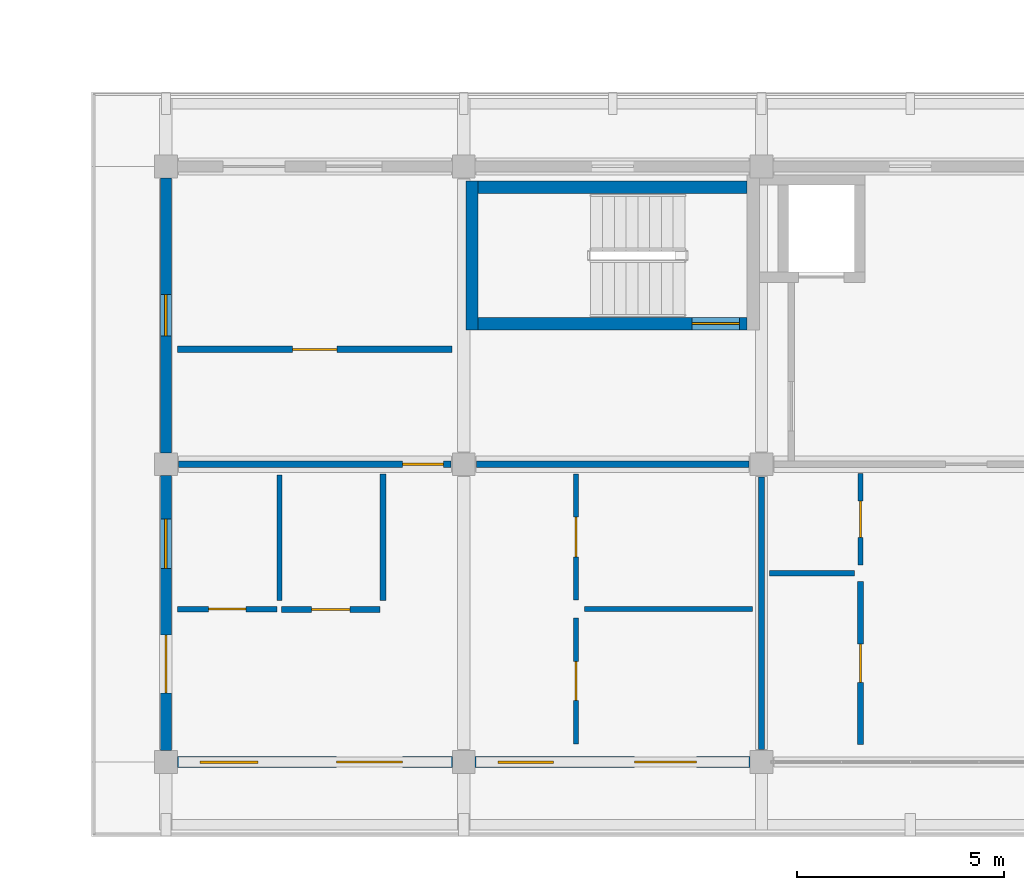
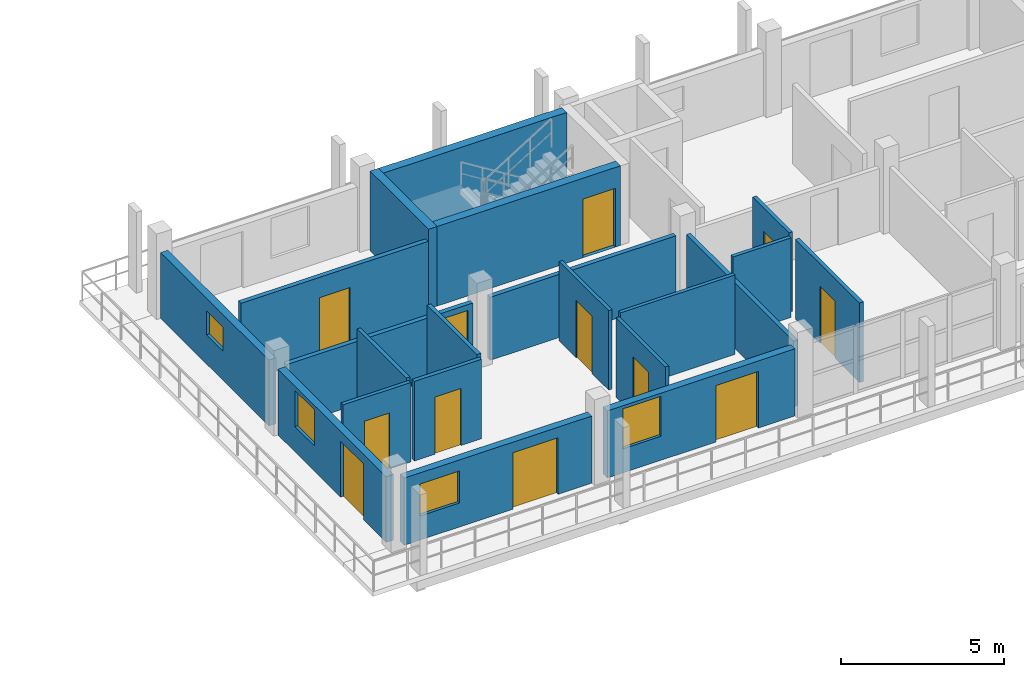
# One storey, part 44 of 73: 21 walls, 12 doors, 4 windows, 16 openings.
"""IFC4 building model written with IfcOpenShell, lengths in metres."""

from ifc_helpers import new_model, si_unit, direction, frame, frame_2d, origin, place, context, subcontext, project, spatial, rectangle, extrude, material, layer, layer_set, type_object, element, fill, save


model = new_model("IFC4")

# Units and contexts
model_context = context("Model", 3, precision=1e-05, world=origin(), true_north=direction((0.0, 1.0)))
body_context = subcontext(model_context, "Body", "Model", "MODEL_VIEW")
ifc_project = project(units=[si_unit("LENGTHUNIT", "METRE"), si_unit("AREAUNIT", "SQUARE_METRE"), si_unit("VOLUMEUNIT", "CUBIC_METRE"), si_unit("PLANEANGLEUNIT", "RADIAN"), si_unit("MASSUNIT", "GRAM", prefix="KILO")], contexts=[model_context])

# Site, building, storey
site_placement = place(None, origin())
site = spatial("IfcSite", under=ifc_project, at=site_placement, CompositionType="ELEMENT")
building_placement = place(site_placement, origin())
building = spatial("IfcBuilding", under=site, at=building_placement, Name="Suanplinth Sawtooth Commons", CompositionType="ELEMENT")
storey_placement = place(building_placement, frame((0.0, 0.0, 21.89990234375)))
storey = spatial("IfcBuildingStorey", under=building, at=storey_placement, Name="L06", CompositionType="ELEMENT", Elevation=21.89990234375)

# Wall, opening, door
ifc_material_1 = material(Name="Concrete C40/50", Category="concrete")
ifc_layer_1 = layer(ifc_material_1, 0.300048828125, Name="Standard RC stair and lift core wall 300mm")
ifc_layer_set_1 = layer_set([ifc_layer_1], Name="Concrete C40/50")
wall_type_1 = type_object("IfcWallType", Name="W-CR02", PredefinedType="SHEAR", material=ifc_layer_set_1)
wall_1_placement = place(storey_placement, frame((137.14990234375, 10.60009765625, 0.0), z_axis=(0.0, 0.0, 1.0), x_axis=(1.0, 0.0, 0.0)))
wall_1 = element("IfcWall", 1, at=wall_1_placement, inside=storey, type_object=wall_type_1, Name="W-L06-C-C1-STS", PredefinedType="SHEAR", context=body_context, shape_type="SweptSolid", body=[
    extrude(rectangle(XDim=6.5, YDim=0.300048828125, at=frame_2d((3.25, 0.0))), origin(), (0.0, 0.0, 1.0), 2.97998046875),
])
opening_1_placement = place(wall_1_placement, frame((5.169921875, 0.0, 0.0)))
opening_1 = element("IfcOpeningElement", 2, at=opening_1_placement, cuts=wall_1, Name="Opening FD0304", PredefinedType="OPENING", context=body_context, shape_type="SweptSolid", body=[
    extrude(rectangle(XDim=1.14990234375, YDim=2.199951171875, at=frame_2d((0.574951171875, 1.10009765625))), frame((0.0, 0.1650390625, 0.0), z_axis=(0.0, -1.0, 0.0), x_axis=(1.0, 0.0, 0.0)), (0.0, 0.0, 1.0), 0.329833984375),
])
ifc_material_2 = material(Name="Teak hardwood fire-rated door assembly", Category="wood")
door_type_1 = type_object("IfcDoorType", Name="FD-01", OperationType="NOTDEFINED", PredefinedType="DOOR", material=ifc_material_2)
door_1_placement = place(opening_1_placement, origin())
door_1 = element("IfcDoor", 3, at=door_1_placement, inside=storey, type_object=door_type_1, Name="Exit Stair Fire Door FD0304", OperationType="SINGLE_SWING_RIGHT", OverallHeight=2.199951171875, OverallWidth=1.14990234375, PredefinedType="DOOR", context=body_context, shape_type="SweptSolid", body=[
    extrude(rectangle(XDim=1.14990234375, YDim=2.199951171875, at=frame_2d((0.574951171875, 1.10009765625))), frame((0.0, 0.02490234375, 0.0), z_axis=(0.0, -1.0, 0.0), x_axis=(1.0, 0.0, 0.0)), (0.0, 0.0, 1.0), 0.050048828125),
])
fill(opening_1, door_1)

# Walls
wall_2_placement = place(storey_placement, frame((137.14990234375, 13.89990234375, 0.0), z_axis=(0.0, 0.0, 1.0), x_axis=(1.0, 0.0, 0.0)))
element("IfcWall", 4, at=wall_2_placement, inside=storey, type_object=wall_type_1, Name="W-L06-C-C1-STN", PredefinedType="SHEAR", context=body_context, shape_type="SweptSolid", body=[
    extrude(rectangle(XDim=6.5, YDim=0.300048828125, at=frame_2d((3.25, 0.0))), origin(), (0.0, 0.0, 1.0), 2.97998046875),
])
wall_3_placement = place(storey_placement, frame((137.0, 10.449951171875, 0.0), z_axis=(0.0, 0.0, 1.0), x_axis=(0.0, 1.0, 0.0)))
element("IfcWall", 5, at=wall_3_placement, inside=storey, type_object=wall_type_1, Name="W-L06-C-C1-STW", PredefinedType="SHEAR", context=body_context, shape_type="SweptSolid", body=[
    extrude(rectangle(XDim=3.60009765625, YDim=0.300048828125, at=frame_2d((1.800048828125, 0.0))), origin(), (0.0, 0.0, 1.0), 2.97998046875),
])

# Wall, openings, door, window
ifc_material_3 = material(Name="Precast concrete C40/50", Category="concrete")
ifc_layer_2 = layer(ifc_material_3, 0.260009765625, Name="Insulated precast courtyard facade wall 260mm")
ifc_layer_set_2 = layer_set([ifc_layer_2], Name="Precast concrete C40/50")
wall_type_2 = type_object("IfcWallType", Name="W-EX02", PredefinedType="ELEMENTEDWALL", material=ifc_layer_set_2)
wall_4_placement = place(storey_placement, frame((129.875, 0.0, 0.0), z_axis=(0.0, 0.0, 1.0), x_axis=(1.0, 0.0, 0.0)))
wall_4 = element("IfcWall", 6, at=wall_4_placement, inside=storey, type_object=wall_type_2, Name="Facade Wall W-L06-C-S-18-0", PredefinedType="ELEMENTEDWALL", context=body_context, shape_type="SweptSolid", body=[
    extrude(rectangle(XDim=6.64990234375, YDim=0.260009765625, at=frame_2d((3.324951171875, 0.0))), origin(), (0.0, 0.0, 1.0), 2.51513671875),
])
opening_2_placement = place(wall_4_placement, frame((3.85009765625, 0.0, 0.0)))
opening_2 = element("IfcOpeningElement", 7, at=opening_2_placement, cuts=wall_4, Name="Opening ED0517", PredefinedType="OPENING", context=body_context, shape_type="SweptSolid", body=[
    extrude(rectangle(XDim=1.60009765625, YDim=2.1201171875, at=frame_2d((0.800048828125, 1.06005859375))), frame((0.0, 0.14501953125, 0.0), z_axis=(0.0, -1.0, 0.0), x_axis=(1.0, 0.0, 0.0)), (0.0, 0.0, 1.0), 0.289794921875),
])
opening_3_placement = place(wall_4_placement, frame((0.550048828125, 0.0, 0.89990234375)))
opening_3 = element("IfcOpeningElement", 8, at=opening_3_placement, cuts=wall_4, Name="Opening W0602", PredefinedType="OPENING", context=body_context, shape_type="SweptSolid", body=[
    extrude(rectangle(XDim=1.39990234375, YDim=1.199951171875, at=frame_2d((0.699951171875, 0.60009765625))), frame((0.0, 0.14501953125, 0.0), z_axis=(0.0, -1.0, 0.0), x_axis=(1.0, 0.0, 0.0)), (0.0, 0.0, 1.0), 0.289794921875),
])
ifc_material_4 = material(Name="Anodized aluminium and low-E glass", Category="aluminium")
door_type_2 = type_object("IfcDoorType", Name="SD-02", OperationType="SLIDING_TO_RIGHT", PredefinedType="DOOR", material=ifc_material_4)
door_2_placement = place(opening_2_placement, frame((1.60009765625, 0.0, 0.0), z_axis=(0.0, 0.0, 1.0), x_axis=(-1.0, 0.0, 0.0)))
door_2 = element("IfcDoor", 9, at=door_2_placement, inside=storey, type_object=door_type_2, Name="Balcony Sliding Door L06-C-18", OperationType="SLIDING_TO_RIGHT", OverallHeight=2.1201171875, OverallWidth=1.60009765625, PredefinedType="DOOR", context=body_context, shape_type="SweptSolid", body=[
    extrude(rectangle(XDim=1.60009765625, YDim=2.1201171875, at=frame_2d((0.800048828125, 1.06005859375))), frame((0.0, 0.02490234375, 0.0), z_axis=(0.0, -1.0, 0.0), x_axis=(1.0, 0.0, 0.0)), (0.0, 0.0, 1.0), 0.050048828125),
])
fill(opening_2, door_2)
ifc_material_5 = material(Name="Thermally broken aluminium and low-E double glazing", Category="aluminium")
window_type_1 = type_object("IfcWindowType", Name="WN-10", PartitioningType="DOUBLE_PANEL_HORIZONTAL", PredefinedType="WINDOW", material=ifc_material_5)
window_1_placement = place(opening_3_placement, origin())
window_1 = element("IfcWindow", 10, at=window_1_placement, inside=storey, type_object=window_type_1, Name="Apartment Window L06-C-18", OverallHeight=1.199951171875, OverallWidth=1.39990234375, PartitioningType="DOUBLE_PANEL_HORIZONTAL", PredefinedType="WINDOW", context=body_context, shape_type="SweptSolid", body=[
    extrude(rectangle(XDim=1.39990234375, YDim=1.199951171875, at=frame_2d((0.699951171875, 0.60009765625))), frame((0.0, 0.030029296875, 0.0), z_axis=(0.0, -1.0, 0.0), x_axis=(1.0, 0.0, 0.0)), (0.0, 0.0, 1.0), 0.06005859375),
])
fill(opening_3, window_1)

wall_5_placement = place(storey_placement, frame((129.60009765625, 0.27490234375, 0.0), z_axis=(0.0, 0.0, 1.0), x_axis=(0.0, 1.0, 0.0)))
wall_5 = element("IfcWall", 11, at=wall_5_placement, inside=storey, type_object=wall_type_2, Name="Facade Wall W-L06-C-W-18-0", PredefinedType="ELEMENTEDWALL", context=body_context, shape_type="SweptSolid", body=[
    extrude(rectangle(XDim=6.650146484375, YDim=0.260009765625, at=frame_2d((3.3251953125, 0.0))), origin(), (0.0, 0.0, 1.0), 2.465087890625),
])
opening_4_placement = place(wall_5_placement, frame((1.39990234375, 0.0, 0.0)))
opening_4 = element("IfcOpeningElement", 12, at=opening_4_placement, cuts=wall_5, Name="Opening ED0518", PredefinedType="OPENING", context=body_context, shape_type="SweptSolid", body=[
    extrude(rectangle(XDim=1.39990234375, YDim=2.10009765625, at=frame_2d((0.699951171875, 1.050048828125))), frame((0.0, 0.14501953125, 0.0), z_axis=(0.0, -1.0, 0.0), x_axis=(1.0, 0.0, 0.0)), (0.0, 0.0, 1.0), 0.289794921875),
])
opening_5_placement = place(wall_5_placement, frame((4.39990234375, 0.0, 0.949951171875)))
opening_5 = element("IfcOpeningElement", 13, at=opening_5_placement, cuts=wall_5, Name="Opening W0603", PredefinedType="OPENING", context=body_context, shape_type="SweptSolid", body=[
    extrude(rectangle(XDim=1.199951171875, YDim=1.35009765625, at=frame_2d((0.60009765625, 0.675048828125))), frame((0.0, 0.14501953125, 0.0), z_axis=(0.0, -1.0, 0.0), x_axis=(1.0, 0.0, 0.0)), (0.0, 0.0, 1.0), 0.289794921875),
])
door_type_3 = type_object("IfcDoorType", Name="SD-07", OperationType="SLIDING_TO_RIGHT", PredefinedType="DOOR", material=ifc_material_4)
door_3_placement = place(opening_4_placement, frame((1.39990234375, 0.0, 0.0), z_axis=(0.0, 0.0, 1.0), x_axis=(-1.0, 0.0, 0.0)))
door_3 = element("IfcDoor", 14, at=door_3_placement, inside=storey, type_object=door_type_3, Name="End Balcony Sliding Door L06-C-W-18-0", OperationType="SLIDING_TO_RIGHT", OverallHeight=2.10009765625, OverallWidth=1.39990234375, PredefinedType="DOOR", context=body_context, shape_type="SweptSolid", body=[
    extrude(rectangle(XDim=1.39990234375, YDim=2.10009765625, at=frame_2d((0.699951171875, 1.050048828125))), frame((0.0, 0.02490234375, 0.0), z_axis=(0.0, -1.0, 0.0), x_axis=(1.0, 0.0, 0.0)), (0.0, 0.0, 1.0), 0.050048828125),
])
fill(opening_4, door_3)
window_type_2 = type_object("IfcWindowType", Name="WN-03", PartitioningType="SINGLE_PANEL", PredefinedType="WINDOW", material=ifc_material_5)
window_2_placement = place(opening_5_placement, origin())
window_2 = element("IfcWindow", 15, at=window_2_placement, inside=storey, type_object=window_type_2, Name="End Bedroom Window L06-C-18-0", OverallHeight=1.35009765625, OverallWidth=1.199951171875, PartitioningType="SINGLE_PANEL", PredefinedType="WINDOW", context=body_context, shape_type="SweptSolid", body=[
    extrude(rectangle(XDim=1.199951171875, YDim=1.35009765625, at=frame_2d((0.60009765625, 0.675048828125))), frame((0.0, 0.030029296875, 0.0), z_axis=(0.0, -1.0, 0.0), x_axis=(1.0, 0.0, 0.0)), (0.0, 0.0, 1.0), 0.06005859375),
])
fill(opening_5, window_2)

# Wall, opening, window
wall_6_placement = place(storey_placement, frame((129.60009765625, 7.47509765625, 0.0), z_axis=(0.0, 0.0, 1.0), x_axis=(0.0, 1.0, 0.0)))
wall_6 = element("IfcWall", 16, at=wall_6_placement, inside=storey, type_object=wall_type_2, Name="Facade Wall W-L06-C-W-18-1", PredefinedType="ELEMENTEDWALL", context=body_context, shape_type="SweptSolid", body=[
    extrude(rectangle(XDim=6.64990234375, YDim=0.260009765625, at=frame_2d((3.324951171875, 0.0))), origin(), (0.0, 0.0, 1.0), 2.465087890625),
])
opening_6_placement = place(wall_6_placement, frame((2.824951171875, 0.0, 1.10009765625)))
opening_6 = element("IfcOpeningElement", 17, at=opening_6_placement, cuts=wall_6, Name="Opening W0605", PredefinedType="OPENING", context=body_context, shape_type="SweptSolid", body=[
    extrude(rectangle(XDim=1.0, YDim=0.89990234375, at=frame_2d((0.5, 0.449951171875))), frame((0.0, 0.14501953125, 0.0), z_axis=(0.0, -1.0, 0.0), x_axis=(1.0, 0.0, 0.0)), (0.0, 0.0, 1.0), 0.289794921875),
])
window_type_3 = type_object("IfcWindowType", Name="WN-12", PartitioningType="SINGLE_PANEL", PredefinedType="WINDOW", material=ifc_material_5)
window_3_placement = place(opening_6_placement, origin())
window_3 = element("IfcWindow", 18, at=window_3_placement, inside=storey, type_object=window_type_3, Name="End Window L06-C-W-18-1", OverallHeight=0.89990234375, OverallWidth=1.0, PartitioningType="SINGLE_PANEL", PredefinedType="WINDOW", context=body_context, shape_type="SweptSolid", body=[
    extrude(rectangle(XDim=1.0, YDim=0.89990234375, at=frame_2d((0.5, 0.449951171875))), frame((0.0, 0.030029296875, 0.0), z_axis=(0.0, -1.0, 0.0), x_axis=(1.0, 0.0, 0.0)), (0.0, 0.0, 1.0), 0.06005859375),
])
fill(opening_6, window_3)

# Wall, openings, door, window
wall_7_placement = place(storey_placement, frame((137.074951171875, 0.0, 0.0), z_axis=(0.0, 0.0, 1.0), x_axis=(1.0, 0.0, 0.0)))
wall_7 = element("IfcWall", 19, at=wall_7_placement, inside=storey, type_object=wall_type_2, Name="Facade Wall W-L06-C-S-19-0", PredefinedType="ELEMENTEDWALL", context=body_context, shape_type="SweptSolid", body=[
    extrude(rectangle(XDim=6.650146484375, YDim=0.260009765625, at=frame_2d((3.3251953125, 0.0))), origin(), (0.0, 0.0, 1.0), 2.51513671875),
])
opening_7_placement = place(wall_7_placement, frame((3.85009765625, 0.0, 0.0)))
opening_7 = element("IfcOpeningElement", 20, at=opening_7_placement, cuts=wall_7, Name="Opening ED0520", PredefinedType="OPENING", context=body_context, shape_type="SweptSolid", body=[
    extrude(rectangle(XDim=1.5, YDim=2.1201171875, at=frame_2d((0.75, 1.06005859375))), frame((0.0, 0.14501953125, 0.0), z_axis=(0.0, -1.0, 0.0), x_axis=(1.0, 0.0, 0.0)), (0.0, 0.0, 1.0), 0.289794921875),
])
opening_8_placement = place(wall_7_placement, frame((0.550048828125, 0.0, 0.89990234375)))
opening_8 = element("IfcOpeningElement", 21, at=opening_8_placement, cuts=wall_7, Name="Opening W0606", PredefinedType="OPENING", context=body_context, shape_type="SweptSolid", body=[
    extrude(rectangle(XDim=1.35009765625, YDim=1.5, at=frame_2d((0.675048828125, 0.75))), frame((0.0, 0.14501953125, 0.0), z_axis=(0.0, -1.0, 0.0), x_axis=(1.0, 0.0, 0.0)), (0.0, 0.0, 1.0), 0.289794921875),
])
door_type_4 = type_object("IfcDoorType", Name="SD-03", OperationType="SLIDING_TO_LEFT", PredefinedType="DOOR", material=ifc_material_4)
door_4_placement = place(opening_7_placement, frame((1.5, 0.0, 0.0), z_axis=(0.0, 0.0, 1.0), x_axis=(-1.0, 0.0, 0.0)))
door_4 = element("IfcDoor", 22, at=door_4_placement, inside=storey, type_object=door_type_4, Name="Balcony Sliding Door L06-C-19", OperationType="SLIDING_TO_LEFT", OverallHeight=2.1201171875, OverallWidth=1.5, PredefinedType="DOOR", context=body_context, shape_type="SweptSolid", body=[
    extrude(rectangle(XDim=1.5, YDim=2.1201171875, at=frame_2d((0.75, 1.06005859375))), frame((0.0, 0.02490234375, 0.0), z_axis=(0.0, -1.0, 0.0), x_axis=(1.0, 0.0, 0.0)), (0.0, 0.0, 1.0), 0.050048828125),
])
fill(opening_7, door_4)
window_type_4 = type_object("IfcWindowType", Name="WN-14", PartitioningType="SINGLE_PANEL", PredefinedType="WINDOW", material=ifc_material_5)
window_4_placement = place(opening_8_placement, origin())
window_4 = element("IfcWindow", 23, at=window_4_placement, inside=storey, type_object=window_type_4, Name="Apartment Window L06-C-19", OverallHeight=1.5, OverallWidth=1.35009765625, PartitioningType="SINGLE_PANEL", PredefinedType="WINDOW", context=body_context, shape_type="SweptSolid", body=[
    extrude(rectangle(XDim=1.35009765625, YDim=1.5, at=frame_2d((0.675048828125, 0.75))), frame((0.0, 0.030029296875, 0.0), z_axis=(0.0, -1.0, 0.0), x_axis=(1.0, 0.0, 0.0)), (0.0, 0.0, 1.0), 0.06005859375),
])
fill(opening_8, window_4)

# Wall, opening, door
ifc_layer_3 = layer(ifc_material_3, 0.159912109375, Name="Fire-rated corridor and lobby wall 160mm")
ifc_layer_set_3 = layer_set([ifc_layer_3], Name="Precast concrete C40/50")
wall_type_3 = type_object("IfcWallType", Name="W-FW01", PredefinedType="PARTITIONING", material=ifc_layer_set_3)
wall_8_placement = place(storey_placement, frame((129.905029296875, 7.199951171875, 0.0), z_axis=(0.0, 0.0, 1.0), x_axis=(1.0, 0.0, 0.0)))
wall_8 = element("IfcWall", 24, at=wall_8_placement, inside=storey, type_object=wall_type_3, Name="W-C-L06-U01-COR-S1", PredefinedType="PARTITIONING", context=body_context, shape_type="SweptSolid", body=[
    extrude(rectangle(XDim=6.590087890625, YDim=0.159912109375, at=frame_2d((3.294921875, 0.0))), origin(), (0.0, 0.0, 1.0), 2.364990234375),
])
opening_9_placement = place(wall_8_placement, frame((5.409912109375, 0.0, 0.0)))
opening_9 = element("IfcOpeningElement", 25, at=opening_9_placement, cuts=wall_8, Name="Opening FD1438", PredefinedType="OPENING", context=body_context, shape_type="SweptSolid", body=[
    extrude(rectangle(XDim=1.0, YDim=2.14990234375, at=frame_2d((0.5, 1.074951171875))), frame((0.0, 0.0947265625, 0.0), z_axis=(0.0, -1.0, 0.0), x_axis=(1.0, 0.0, 0.0)), (0.0, 0.0, 1.0), 0.189697265625),
])
door_type_5 = type_object("IfcDoorType", Name="FD-03", OperationType="NOTDEFINED", PredefinedType="DOOR", material=ifc_material_2)
door_5_placement = place(opening_9_placement, frame((1.0, 0.0, 0.0), z_axis=(0.0, 0.0, 1.0), x_axis=(-1.0, 0.0, 0.0)))
door_5 = element("IfcDoor", 26, at=door_5_placement, inside=storey, type_object=door_type_5, Name="Unit Entrance Door FD1438", OperationType="SINGLE_SWING_RIGHT", OverallHeight=2.14990234375, OverallWidth=1.0, PredefinedType="DOOR", context=body_context, shape_type="SweptSolid", body=[
    extrude(rectangle(XDim=1.0, YDim=2.14990234375, at=frame_2d((0.5, 1.074951171875))), frame((0.0, 0.02490234375, 0.0), z_axis=(0.0, -1.0, 0.0), x_axis=(1.0, 0.0, 0.0)), (0.0, 0.0, 1.0), 0.050048828125),
])
fill(opening_9, door_5)

# Wall
wall_9_placement = place(storey_placement, frame((137.10498046875, 7.199951171875, 0.0), z_axis=(0.0, 0.0, 1.0), x_axis=(1.0, 0.0, 0.0)))
element("IfcWall", 27, at=wall_9_placement, inside=storey, type_object=wall_type_3, Name="W-C-L06-U01-COR-S2", PredefinedType="PARTITIONING", context=body_context, shape_type="SweptSolid", body=[
    extrude(rectangle(XDim=6.590087890625, YDim=0.159912109375, at=frame_2d((3.294921875, 0.0))), origin(), (0.0, 0.0, 1.0), 2.364990234375),
])

# Wall, opening, door
wall_10_placement = place(storey_placement, frame((129.8798828125, 9.97998046875, 0.0), z_axis=(0.0, 0.0, 1.0), x_axis=(1.0, 0.0, 0.0)))
wall_10 = element("IfcWall", 28, at=wall_10_placement, inside=storey, type_object=wall_type_3, Name="W-C-L06-COURTROOM-40-COR", PredefinedType="PARTITIONING", context=body_context, shape_type="SweptSolid", body=[
    extrude(rectangle(XDim=6.64013671875, YDim=0.159912109375, at=frame_2d((3.320068359375, 0.0))), origin(), (0.0, 0.0, 1.0), 2.97998046875),
])
opening_10_placement = place(wall_10_placement, frame((2.780029296875, 0.0, 0.0)))
opening_10 = element("IfcOpeningElement", 29, at=opening_10_placement, cuts=wall_10, Name="Opening D1459", PredefinedType="OPENING", context=body_context, shape_type="SweptSolid", body=[
    extrude(rectangle(XDim=1.080078125, YDim=2.219970703125, at=frame_2d((0.5400390625, 1.10986328125))), frame((0.0, 0.0947265625, 0.0), z_axis=(0.0, -1.0, 0.0), x_axis=(1.0, 0.0, 0.0)), (0.0, 0.0, 1.0), 0.189697265625),
])
ifc_material_6 = material(Name="Teak hardwood", Category="wood")
door_type_6 = type_object("IfcDoorType", Name="D-17", OperationType="NOTDEFINED", PredefinedType="DOOR", material=ifc_material_6)
door_6_placement = place(opening_10_placement, origin())
door_6 = element("IfcDoor", 30, at=door_6_placement, inside=storey, type_object=door_type_6, Name="Study Studio Door D1459", OperationType="SINGLE_SWING_LEFT", OverallHeight=2.219970703125, OverallWidth=1.080078125, PredefinedType="DOOR", context=body_context, shape_type="SweptSolid", body=[
    extrude(rectangle(XDim=1.080078125, YDim=2.219970703125, at=frame_2d((0.5400390625, 1.10986328125))), frame((0.0, 0.02490234375, 0.0), z_axis=(0.0, -1.0, 0.0), x_axis=(1.0, 0.0, 0.0)), (0.0, 0.0, 1.0), 0.050048828125),
])
fill(opening_10, door_6)

# Wall
ifc_layer_4 = layer(ifc_material_3, 0.14990234375, Name="Acoustic precast party demising wall 150mm")
ifc_layer_set_4 = layer_set([ifc_layer_4], Name="Precast concrete C40/50")
wall_type_4 = type_object("IfcWallType", Name="W-FW02", PredefinedType="PARTITIONING", material=ifc_layer_set_4)
wall_11_placement = place(storey_placement, frame((144.0, 0.304931640625, 0.0), z_axis=(0.0, 0.0, 1.0), x_axis=(0.0, 1.0, 0.0)))
element("IfcWall", 31, at=wall_11_placement, inside=storey, type_object=wall_type_4, Name="W-C-L06-U01-PTY", PredefinedType="PARTITIONING", context=body_context, shape_type="SweptSolid", body=[
    extrude(rectangle(XDim=6.590087890625, YDim=0.14990234375, at=frame_2d((3.294921875, 0.0))), origin(), (0.0, 0.0, 1.0), 2.465087890625),
])

# Wall, opening, door
ifc_material_7 = material(Name="Gypsum plasterboard on steel stud", Category="steel")
ifc_layer_5 = layer(ifc_material_7, 0.139892578125, Name="Fire-rated kitchen partition 140mm")
ifc_layer_set_5 = layer_set([ifc_layer_5], Name="Gypsum plasterboard on steel stud")
wall_type_5 = type_object("IfcWallType", Name="W-PT01", PredefinedType="PARTITIONING", material=ifc_layer_set_5)
wall_12_placement = place(storey_placement, frame((132.39990234375, 3.68994140625, 0.0), z_axis=(0.0, 0.0, 1.0), x_axis=(1.0, 0.0, 0.0)))
wall_12 = element("IfcWall", 32, at=wall_12_placement, inside=storey, type_object=wall_type_5, Name="W-C-L06-U01-KIT1", PredefinedType="PARTITIONING", context=body_context, shape_type="SweptSolid", body=[
    extrude(rectangle(XDim=2.380126953125, YDim=0.139892578125, at=frame_2d((1.18994140625, 0.0))), origin(), (0.0, 0.0, 1.0), 2.97998046875),
])
opening_11_placement = place(wall_12_placement, frame((0.72509765625, 0.0, 0.0)))
opening_11 = element("IfcOpeningElement", 33, at=opening_11_placement, cuts=wall_12, Name="Opening D1440", PredefinedType="OPENING", context=body_context, shape_type="SweptSolid", body=[
    extrude(rectangle(XDim=0.929931640625, YDim=2.139892578125, at=frame_2d((0.46484375, 1.06982421875))), frame((0.0, 0.0849609375, 0.0), z_axis=(0.0, -1.0, 0.0), x_axis=(1.0, 0.0, 0.0)), (0.0, 0.0, 1.0), 0.169677734375),
])
door_type_7 = type_object("IfcDoorType", Name="D-19", OperationType="NOTDEFINED", PredefinedType="DOOR", material=ifc_material_6)
door_7_placement = place(opening_11_placement, origin())
door_7 = element("IfcDoor", 34, at=door_7_placement, inside=storey, type_object=door_type_7, Name="Kitchen Door D1440", OperationType="SINGLE_SWING_RIGHT", OverallHeight=2.139892578125, OverallWidth=0.929931640625, PredefinedType="DOOR", context=body_context, shape_type="SweptSolid", body=[
    extrude(rectangle(XDim=0.929931640625, YDim=2.139892578125, at=frame_2d((0.46484375, 1.06982421875))), frame((0.0, 0.02490234375, 0.0), z_axis=(0.0, -1.0, 0.0), x_axis=(1.0, 0.0, 0.0)), (0.0, 0.0, 1.0), 0.050048828125),
])
fill(opening_11, door_7)

# Wall
wall_13_placement = place(storey_placement, frame((134.85009765625, 3.909912109375, 0.0), z_axis=(0.0, 0.0, 1.0), x_axis=(0.0, 1.0, 0.0)))
element("IfcWall", 35, at=wall_13_placement, inside=storey, type_object=wall_type_5, Name="W-C-L06-U01-KIT2", PredefinedType="PARTITIONING", context=body_context, shape_type="SweptSolid", body=[
    extrude(rectangle(XDim=3.06005859375, YDim=0.139892578125, at=frame_2d((1.530029296875, 0.0))), origin(), (0.0, 0.0, 1.0), 2.97998046875),
])

# Wall, opening, door
wall_14_placement = place(storey_placement, frame((146.39501953125, 0.419921875, 0.0), z_axis=(0.0, 0.0, 1.0), x_axis=(0.0, 1.0, 0.0)))
wall_14 = element("IfcWall", 36, at=wall_14_placement, inside=storey, type_object=wall_type_5, Name="W-C-L06-U02-KITE", PredefinedType="PARTITIONING", context=body_context, shape_type="SweptSolid", body=[
    extrude(rectangle(XDim=3.940185546875, YDim=0.139892578125, at=frame_2d((1.97021484375, 0.0))), origin(), (0.0, 0.0, 1.0), 2.97998046875),
])
opening_12_placement = place(wall_14_placement, frame((1.5048828125, 0.0, 0.0)))
opening_12 = element("IfcOpeningElement", 37, at=opening_12_placement, cuts=wall_14, Name="Opening D1445", PredefinedType="OPENING", context=body_context, shape_type="SweptSolid", body=[
    extrude(rectangle(XDim=0.929931640625, YDim=2.139892578125, at=frame_2d((0.46484375, 1.06982421875))), frame((0.0, 0.0849609375, 0.0), z_axis=(0.0, -1.0, 0.0), x_axis=(1.0, 0.0, 0.0)), (0.0, 0.0, 1.0), 0.169677734375),
])
door_8_placement = place(opening_12_placement, origin())
door_8 = element("IfcDoor", 38, at=door_8_placement, inside=storey, type_object=door_type_7, Name="Kitchen Door D1445", OperationType="SINGLE_SWING_LEFT", OverallHeight=2.139892578125, OverallWidth=0.929931640625, PredefinedType="DOOR", context=body_context, shape_type="SweptSolid", body=[
    extrude(rectangle(XDim=0.929931640625, YDim=2.139892578125, at=frame_2d((0.46484375, 1.06982421875))), frame((0.0, 0.02490234375, 0.0), z_axis=(0.0, -1.0, 0.0), x_axis=(1.0, 0.0, 0.0)), (0.0, 0.0, 1.0), 0.050048828125),
])
fill(opening_12, door_8)

ifc_layer_6 = layer(ifc_material_7, 0.1298828125, Name="Moisture-resistant bathroom partition 130mm")
ifc_layer_set_6 = layer_set([ifc_layer_6], Name="Gypsum plasterboard on steel stud")
wall_type_6 = type_object("IfcWallType", Name="W-PT02", PredefinedType="PARTITIONING", material=ifc_layer_set_6)
wall_15_placement = place(storey_placement, frame((129.8798828125, 3.695068359375, 0.0), z_axis=(0.0, 0.0, 1.0), x_axis=(1.0, 0.0, 0.0)))
wall_15 = element("IfcWall", 39, at=wall_15_placement, inside=storey, type_object=wall_type_6, Name="W-C-L06-U01-BTH1", PredefinedType="PARTITIONING", context=body_context, shape_type="SweptSolid", body=[
    extrude(rectangle(XDim=2.400146484375, YDim=0.1298828125, at=frame_2d((1.2001953125, 0.0))), origin(), (0.0, 0.0, 1.0), 2.97998046875),
])
opening_13_placement = place(wall_15_placement, frame((0.75, 0.0, 0.0)))
opening_13 = element("IfcOpeningElement", 40, at=opening_13_placement, cuts=wall_15, Name="Opening D1439", PredefinedType="OPENING", context=body_context, shape_type="SweptSolid", body=[
    extrude(rectangle(XDim=0.89990234375, YDim=2.10009765625, at=frame_2d((0.449951171875, 1.050048828125))), frame((0.0, 0.079833984375, 0.0), z_axis=(0.0, -1.0, 0.0), x_axis=(1.0, 0.0, 0.0)), (0.0, 0.0, 1.0), 0.15966796875),
])
door_type_8 = type_object("IfcDoorType", Name="D-01", OperationType="NOTDEFINED", PredefinedType="DOOR", material=ifc_material_6)
door_9_placement = place(opening_13_placement, origin())
door_9 = element("IfcDoor", 41, at=door_9_placement, inside=storey, type_object=door_type_8, Name="Bathroom Door D1439", OperationType="SINGLE_SWING_LEFT", OverallHeight=2.10009765625, OverallWidth=0.89990234375, PredefinedType="DOOR", context=body_context, shape_type="SweptSolid", body=[
    extrude(rectangle(XDim=0.89990234375, YDim=2.10009765625, at=frame_2d((0.449951171875, 1.050048828125))), frame((0.0, 0.02490234375, 0.0), z_axis=(0.0, -1.0, 0.0), x_axis=(1.0, 0.0, 0.0)), (0.0, 0.0, 1.0), 0.050048828125),
])
fill(opening_13, door_9)

# Walls
wall_16_placement = place(storey_placement, frame((132.344970703125, 3.89990234375, 0.0), z_axis=(0.0, 0.0, 1.0), x_axis=(0.0, 1.0, 0.0)))
element("IfcWall", 42, at=wall_16_placement, inside=storey, type_object=wall_type_6, Name="W-C-L06-U01-BTH2", PredefinedType="PARTITIONING", context=body_context, shape_type="SweptSolid", body=[
    extrude(rectangle(XDim=3.0400390625, YDim=0.1298828125, at=frame_2d((1.52001953125, 0.0))), origin(), (0.0, 0.0, 1.0), 2.97998046875),
])
wall_17_placement = place(storey_placement, frame((144.199951171875, 4.56005859375, 0.0), z_axis=(0.0, 0.0, 1.0), x_axis=(1.0, 0.0, 0.0)))
element("IfcWall", 43, at=wall_17_placement, inside=storey, type_object=wall_type_6, Name="W-C-L06-U02-STDIV", PredefinedType="PARTITIONING", context=body_context, shape_type="SweptSolid", body=[
    extrude(rectangle(XDim=2.050048828125, YDim=0.1298828125, at=frame_2d((1.02490234375, 0.0))), origin(), (0.0, 0.0, 1.0), 2.97998046875),
])

# Wall, opening, door
wall_18_placement = place(storey_placement, frame((146.39501953125, 4.760009765625, 0.0), z_axis=(0.0, 0.0, 1.0), x_axis=(0.0, 1.0, 0.0)))
wall_18 = element("IfcWall", 44, at=wall_18_placement, inside=storey, type_object=wall_type_6, Name="W-C-L06-U02-BTHE", PredefinedType="PARTITIONING", context=body_context, shape_type="SweptSolid", body=[
    extrude(rectangle(XDim=2.219970703125, YDim=0.1298828125, at=frame_2d((1.10986328125, 0.0))), origin(), (0.0, 0.0, 1.0), 2.97998046875),
])
opening_14_placement = place(wall_18_placement, frame((0.669921875, 0.0, 0.0)))
opening_14 = element("IfcOpeningElement", 45, at=opening_14_placement, cuts=wall_18, Name="Opening D1444", PredefinedType="OPENING", context=body_context, shape_type="SweptSolid", body=[
    extrude(rectangle(XDim=0.8798828125, YDim=2.10009765625, at=frame_2d((0.43994140625, 1.050048828125))), frame((0.0, 0.079833984375, 0.0), z_axis=(0.0, -1.0, 0.0), x_axis=(1.0, 0.0, 0.0)), (0.0, 0.0, 1.0), 0.15966796875),
])
door_type_9 = type_object("IfcDoorType", Name="D-14", OperationType="NOTDEFINED", PredefinedType="DOOR", material=ifc_material_6)
door_10_placement = place(opening_14_placement, origin())
door_10 = element("IfcDoor", 46, at=door_10_placement, inside=storey, type_object=door_type_9, Name="Bathroom Door D1444", OperationType="SINGLE_SWING_RIGHT", OverallHeight=2.10009765625, OverallWidth=0.8798828125, PredefinedType="DOOR", context=body_context, shape_type="SweptSolid", body=[
    extrude(rectangle(XDim=0.8798828125, YDim=2.10009765625, at=frame_2d((0.43994140625, 1.050048828125))), frame((0.0, 0.02490234375, 0.0), z_axis=(0.0, -1.0, 0.0), x_axis=(1.0, 0.0, 0.0)), (0.0, 0.0, 1.0), 0.050048828125),
])
fill(opening_14, door_10)

ifc_layer_7 = layer(ifc_material_7, 0.1201171875, Name="Acoustic bedroom partition 120mm")
ifc_layer_set_7 = layer_set([ifc_layer_7], Name="Gypsum plasterboard on steel stud")
wall_type_7 = type_object("IfcWallType", Name="W-PT03", PredefinedType="PARTITIONING", material=ifc_layer_set_7)
wall_19_placement = place(storey_placement, frame((139.52001953125, 0.43994140625, 0.0), z_axis=(0.0, 0.0, 1.0), x_axis=(0.0, 1.0, 0.0)))
wall_19 = element("IfcWall", 47, at=wall_19_placement, inside=storey, type_object=wall_type_7, Name="W-C-L06-U01-BED1", PredefinedType="PARTITIONING", context=body_context, shape_type="SweptSolid", body=[
    extrude(rectangle(XDim=3.0400390625, YDim=0.1201171875, at=frame_2d((1.52001953125, 0.0))), origin(), (0.0, 0.0, 1.0), 2.97998046875),
])
opening_15_placement = place(wall_19_placement, frame((1.044921875, 0.0, 0.0)))
opening_15 = element("IfcOpeningElement", 48, at=opening_15_placement, cuts=wall_19, Name="Opening D1441", PredefinedType="OPENING", context=body_context, shape_type="SweptSolid", body=[
    extrude(rectangle(XDim=0.949951171875, YDim=2.14990234375, at=frame_2d((0.47509765625, 1.074951171875))), frame((0.0, 0.074951171875, 0.0), z_axis=(0.0, -1.0, 0.0), x_axis=(1.0, 0.0, 0.0)), (0.0, 0.0, 1.0), 0.14990234375),
])
door_type_10 = type_object("IfcDoorType", Name="D-03", OperationType="NOTDEFINED", PredefinedType="DOOR", material=ifc_material_6)
door_11_placement = place(opening_15_placement, frame((0.949951171875, 0.0, 0.0), z_axis=(0.0, 0.0, 1.0), x_axis=(-1.0, 0.0, 0.0)))
door_11 = element("IfcDoor", 49, at=door_11_placement, inside=storey, type_object=door_type_10, Name="Bedroom Door D1441", OperationType="SINGLE_SWING_LEFT", OverallHeight=2.14990234375, OverallWidth=0.949951171875, PredefinedType="DOOR", context=body_context, shape_type="SweptSolid", body=[
    extrude(rectangle(XDim=0.949951171875, YDim=2.14990234375, at=frame_2d((0.47509765625, 1.074951171875))), frame((0.0, 0.02490234375, 0.0), z_axis=(0.0, -1.0, 0.0), x_axis=(1.0, 0.0, 0.0)), (0.0, 0.0, 1.0), 0.050048828125),
])
fill(opening_15, door_11)

wall_20_placement = place(storey_placement, frame((139.52001953125, 3.919921875, 0.0), z_axis=(0.0, 0.0, 1.0), x_axis=(0.0, 1.0, 0.0)))
wall_20 = element("IfcWall", 50, at=wall_20_placement, inside=storey, type_object=wall_type_7, Name="W-C-L06-U01-BED2", PredefinedType="PARTITIONING", context=body_context, shape_type="SweptSolid", body=[
    extrude(rectangle(XDim=3.0400390625, YDim=0.1201171875, at=frame_2d((1.52001953125, 0.0))), origin(), (0.0, 0.0, 1.0), 2.97998046875),
])
opening_16_placement = place(wall_20_placement, frame((1.0400390625, 0.0, 0.0)))
opening_16 = element("IfcOpeningElement", 51, at=opening_16_placement, cuts=wall_20, Name="Opening D1442", PredefinedType="OPENING", context=body_context, shape_type="SweptSolid", body=[
    extrude(rectangle(XDim=0.9599609375, YDim=2.14990234375, at=frame_2d((0.47998046875, 1.074951171875))), frame((0.0, 0.074951171875, 0.0), z_axis=(0.0, -1.0, 0.0), x_axis=(1.0, 0.0, 0.0)), (0.0, 0.0, 1.0), 0.14990234375),
])
door_type_11 = type_object("IfcDoorType", Name="D-13", OperationType="NOTDEFINED", PredefinedType="DOOR", material=ifc_material_6)
door_12_placement = place(opening_16_placement, frame((0.9599609375, 0.0, 0.0), z_axis=(0.0, 0.0, 1.0), x_axis=(-1.0, 0.0, 0.0)))
door_12 = element("IfcDoor", 52, at=door_12_placement, inside=storey, type_object=door_type_11, Name="Second Bedroom Door D1442", OperationType="SINGLE_SWING_RIGHT", OverallHeight=2.14990234375, OverallWidth=0.9599609375, PredefinedType="DOOR", context=body_context, shape_type="SweptSolid", body=[
    extrude(rectangle(XDim=0.9599609375, YDim=2.14990234375, at=frame_2d((0.47998046875, 1.074951171875))), frame((0.0, 0.02490234375, 0.0), z_axis=(0.0, -1.0, 0.0), x_axis=(1.0, 0.0, 0.0)), (0.0, 0.0, 1.0), 0.050048828125),
])
fill(opening_16, door_12)

# Wall
ifc_layer_8 = layer(ifc_material_7, 0.125, Name="Acoustic study partition 125mm")
ifc_layer_set_8 = layer_set([ifc_layer_8], Name="Gypsum plasterboard on steel stud")
wall_type_8 = type_object("IfcWallType", Name="W-PT06", PredefinedType="PARTITIONING", material=ifc_layer_set_8)
wall_21_placement = place(storey_placement, frame((139.719970703125, 3.699951171875, 0.0), z_axis=(0.0, 0.0, 1.0), x_axis=(1.0, 0.0, 0.0)))
element("IfcWall", 53, at=wall_21_placement, inside=storey, type_object=wall_type_8, Name="W-C-L06-U01-BEDDIV", PredefinedType="PARTITIONING", context=body_context, shape_type="SweptSolid", body=[
    extrude(rectangle(XDim=4.06005859375, YDim=0.125, at=frame_2d((2.030029296875, 0.0))), origin(), (0.0, 0.0, 1.0), 2.97998046875),
])

save(model, "model.ifc")
